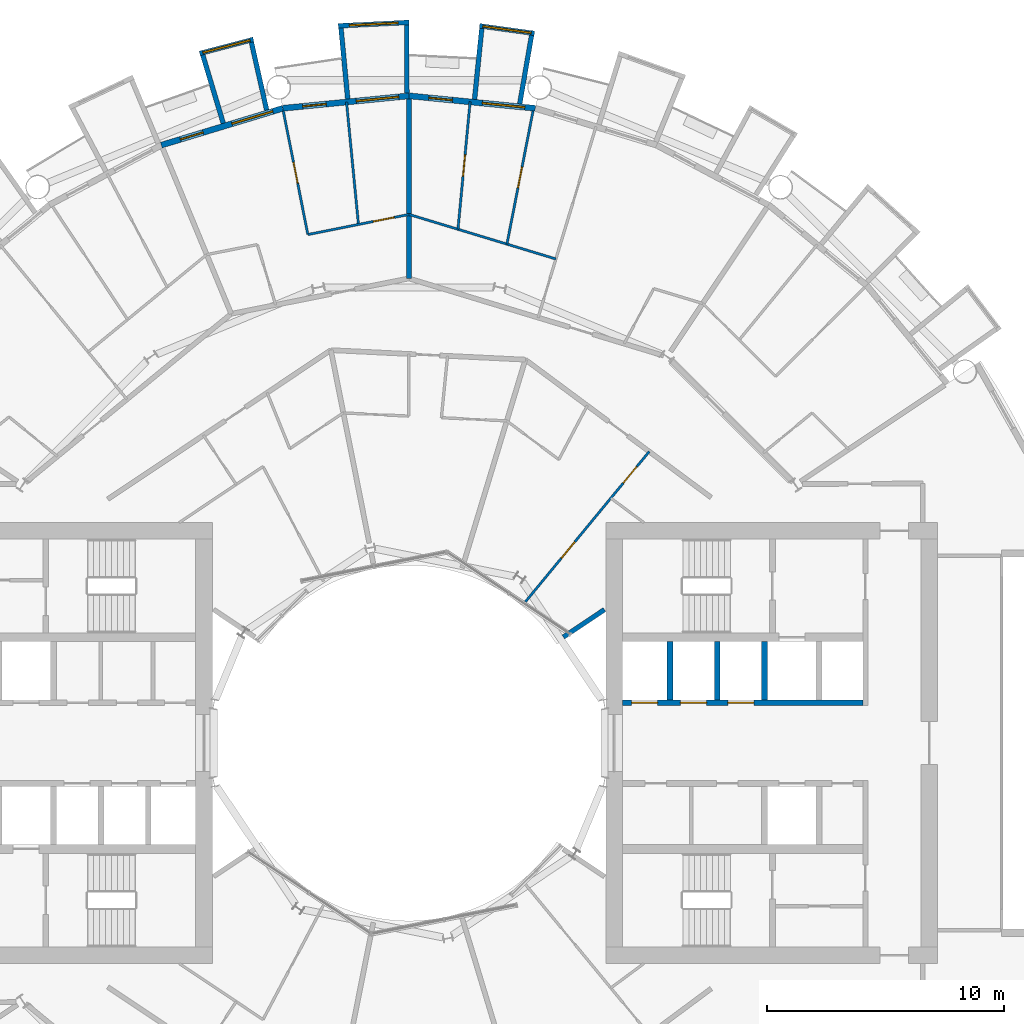
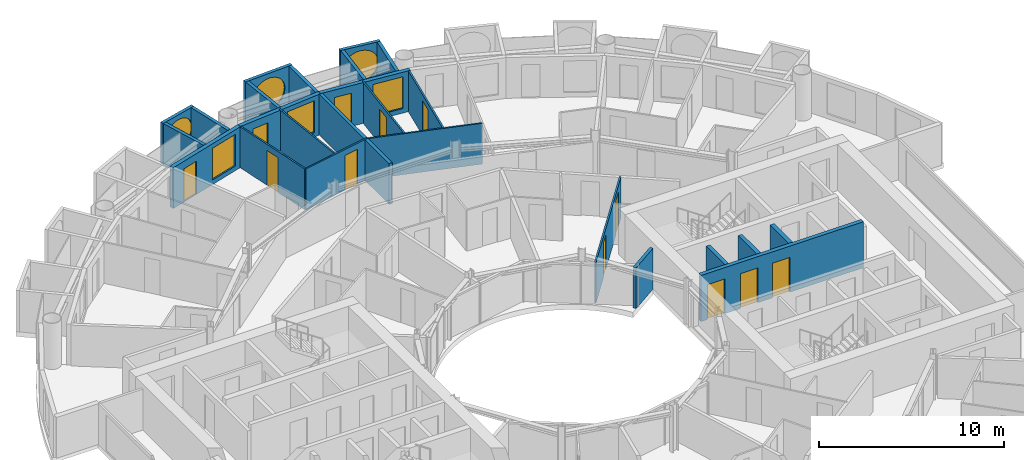
# One storey, part 20 of 26: 25 walls, 12 doors, 6 windows, 18 openings.
"""IFC4 building model written with IfcOpenShell, lengths in metres."""

from ifc_helpers import new_model, si_unit, direction, frame, frame_2d, origin, place, context, subcontext, project, spatial, rectangle, circle, extrude, material, layer, layer_set, type_object, element, fill, save


model = new_model("IFC4")

# Units and contexts
model_context = context("Model", 3, precision=1e-05, world=origin(), true_north=direction((0.0, 1.0)))
body_context = subcontext(model_context, "Body", "Model", "MODEL_VIEW")
ifc_project = project(units=[si_unit("LENGTHUNIT", "METRE"), si_unit("AREAUNIT", "SQUARE_METRE"), si_unit("VOLUMEUNIT", "CUBIC_METRE"), si_unit("PLANEANGLEUNIT", "RADIAN"), si_unit("MASSUNIT", "GRAM", prefix="KILO")], contexts=[model_context])

# Site, building, storey
site_placement = place(None, origin())
site = spatial("IfcSite", under=ifc_project, at=site_placement, CompositionType="ELEMENT")
building_placement = place(site_placement, origin())
building = spatial("IfcBuilding", under=site, at=building_placement, Name="Maasbend Ring Residences", CompositionType="ELEMENT")
storey_placement = place(building_placement, frame((0.0, 0.0, 91.050048828125)))
storey = spatial("IfcBuildingStorey", under=building, at=storey_placement, Name="L26", CompositionType="ELEMENT", Elevation=91.050048828125)

# Wall, openings, doors
ifc_material_1 = material(Name="Concrete C70/85", Category="concrete")
ifc_layer_1 = layer(ifc_material_1, 0.25)
ifc_layer_set_1 = layer_set([ifc_layer_1], Name="Concrete C70/85")
wall_type_1 = type_object("IfcWallType", Name="CORE WALL 250 C70/85", PredefinedType="SHEAR", material=ifc_layer_set_1)
wall_1_placement = place(storey_placement, frame((9.0, 1.699951171875, 0.0), z_axis=(0.0, 0.0, 1.0), x_axis=(1.0, 0.0, 0.0)))
wall_1 = element("IfcWall", 1, at=wall_1_placement, inside=storey, type_object=wall_type_1, Name="L26 core E wall SPN", PredefinedType="SHEAR", context=body_context, shape_type="SweptSolid", body=[
    extrude(rectangle(XDim=10.14990234375, YDim=0.25, at=frame_2d((5.074951171875, 0.0))), origin(), (0.0, 0.0, 1.0), 3.050048828125),
])
opening_1_placement = place(wall_1_placement, frame((0.387451171875, 0.0, 0.0)))
opening_1 = element("IfcOpeningElement", 2, at=opening_1_placement, cuts=wall_1, Name="Opening LD-E2601", PredefinedType="OPENING", context=body_context, shape_type="SweptSolid", body=[
    extrude(rectangle(XDim=1.10009765625, YDim=2.300048828125, at=frame_2d((0.550048828125, 1.14990234375))), frame((0.0, 0.135009765625, 0.0), z_axis=(0.0, -1.0, 0.0), x_axis=(1.0, 0.0, 0.0)), (0.0, 0.0, 1.0), 0.27001953125),
])
opening_2_placement = place(wall_1_placement, frame((2.449951171875, 0.0, 0.0)))
opening_2 = element("IfcOpeningElement", 3, at=opening_2_placement, cuts=wall_1, Name="Opening LD-E2602", PredefinedType="OPENING", context=body_context, shape_type="SweptSolid", body=[
    extrude(rectangle(XDim=1.10009765625, YDim=2.300048828125, at=frame_2d((0.550048828125, 1.14990234375))), frame((0.0, 0.135009765625, 0.0), z_axis=(0.0, -1.0, 0.0), x_axis=(1.0, 0.0, 0.0)), (0.0, 0.0, 1.0), 0.27001953125),
])
opening_3_placement = place(wall_1_placement, frame((4.449951171875, 0.0, 0.0)))
opening_3 = element("IfcOpeningElement", 4, at=opening_3_placement, cuts=wall_1, Name="Opening LD-E2603", PredefinedType="OPENING", context=body_context, shape_type="SweptSolid", body=[
    extrude(rectangle(XDim=1.10009765625, YDim=2.300048828125, at=frame_2d((0.550048828125, 1.14990234375))), frame((0.0, 0.135009765625, 0.0), z_axis=(0.0, -1.0, 0.0), x_axis=(1.0, 0.0, 0.0)), (0.0, 0.0, 1.0), 0.27001953125),
])
ifc_material_2 = material(Name="Stainless steel 316", Category="steel")
door_type_1 = type_object("IfcDoorType", Name="LANDING DOOR 1100 X 2300 FD60", OperationType="DOUBLE_DOOR_SLIDING", PredefinedType="DOOR", material=ifc_material_2)
door_1_placement = place(opening_1_placement, origin())
door_1 = element("IfcDoor", 5, at=door_1_placement, inside=storey, type_object=door_type_1, Name="Landing door LR-E1 L26", OperationType="DOUBLE_DOOR_SLIDING", OverallHeight=2.300048828125, OverallWidth=1.10009765625, PredefinedType="DOOR", context=body_context, shape_type="SweptSolid", body=[
    extrude(rectangle(XDim=1.10009765625, YDim=2.300048828125, at=frame_2d((0.550048828125, 1.14990234375))), frame((0.0, 0.02490234375, 0.0), z_axis=(0.0, -1.0, 0.0), x_axis=(1.0, 0.0, 0.0)), (0.0, 0.0, 1.0), 0.050048828125),
])
fill(opening_1, door_1)
door_2_placement = place(opening_2_placement, origin())
door_2 = element("IfcDoor", 6, at=door_2_placement, inside=storey, type_object=door_type_1, Name="Landing door LR-E2 L26", OperationType="DOUBLE_DOOR_SLIDING", OverallHeight=2.300048828125, OverallWidth=1.10009765625, PredefinedType="DOOR", context=body_context, shape_type="SweptSolid", body=[
    extrude(rectangle(XDim=1.10009765625, YDim=2.300048828125, at=frame_2d((0.550048828125, 1.14990234375))), frame((0.0, 0.02490234375, 0.0), z_axis=(0.0, -1.0, 0.0), x_axis=(1.0, 0.0, 0.0)), (0.0, 0.0, 1.0), 0.050048828125),
])
fill(opening_2, door_2)
door_3_placement = place(opening_3_placement, origin())
door_3 = element("IfcDoor", 7, at=door_3_placement, inside=storey, type_object=door_type_1, Name="Landing door LR-E3 L26", OperationType="DOUBLE_DOOR_SLIDING", OverallHeight=2.300048828125, OverallWidth=1.10009765625, PredefinedType="DOOR", context=body_context, shape_type="SweptSolid", body=[
    extrude(rectangle(XDim=1.10009765625, YDim=2.300048828125, at=frame_2d((0.550048828125, 1.14990234375))), frame((0.0, 0.02490234375, 0.0), z_axis=(0.0, -1.0, 0.0), x_axis=(1.0, 0.0, 0.0)), (0.0, 0.0, 1.0), 0.050048828125),
])
fill(opening_3, door_3)

# Wall, opening, window
ifc_material_3 = material(Name="Pale anodised aluminium panel", Category="aluminium")
ifc_layer_2 = layer(ifc_material_3, 0.199951171875)
ifc_layer_set_2 = layer_set([ifc_layer_2], Name="EW-BOX")
wall_type_2 = type_object("IfcWallType", Name="EW-BOX", PredefinedType="SOLIDWALL", material=ifc_layer_set_2)
wall_2_placement = place(storey_placement, frame((5.2900390625, 29.93603515625, -0.030029296875), z_axis=(0.0, 0.0, 1.0), x_axis=(-0.990696111261, 0.136092671119, 0.0)))
wall_2 = element("IfcWall", 8, at=wall_2_placement, inside=storey, type_object=wall_type_2, Name="Box front N09", PredefinedType="SOLIDWALL", context=body_context, shape_type="SweptSolid", body=[
    extrude(rectangle(XDim=2.335693359375, YDim=0.199951171875, at=frame_2d((1.16796875, 0.0))), origin(), (0.0, 0.0, 1.0), 2.72998046875),
])
opening_4_placement = place(wall_2_placement, frame((0.128173828125, 0.0, 0.330078125)))
opening_4 = element("IfcOpeningElement", 9, at=opening_4_placement, cuts=wall_2, Name="Opening W-RD", PredefinedType="OPENING", context=body_context, shape_type="SweptSolid", body=[
    extrude(circle(Radius=1.0400390625, at=frame_2d((1.0400390625, 1.0400390625))), frame((0.0, 0.10986328125, 0.0), z_axis=(0.0, -1.0, 0.0), x_axis=(1.0, 0.0, 0.0)), (0.0, 0.0, 1.0), 0.219970703125),
])
ifc_material_4 = material(Name="Aluminium and clear glass", Category="aluminium")
window_type_1 = type_object("IfcWindowType", Name="W-RD", PartitioningType="SINGLE_PANEL", PredefinedType="WINDOW", material=ifc_material_4)
window_1_placement = place(opening_4_placement, origin())
window_1 = element("IfcWindow", 10, at=window_1_placement, inside=storey, type_object=window_type_1, Name="Round window N09", OverallHeight=2.080078125, OverallWidth=2.080078125, PartitioningType="SINGLE_PANEL", PredefinedType="WINDOW", context=body_context, shape_type="SweptSolid", body=[
    extrude(circle(Radius=1.0400390625, at=frame_2d((1.0400390625, 1.0400390625))), frame((0.0, 0.030029296875, 0.0), z_axis=(0.0, -1.0, 0.0), x_axis=(1.0, 0.0, 0.0)), (0.0, 0.0, 1.0), 0.06005859375),
])
fill(opening_4, window_1)

# Walls
wall_3_placement = place(storey_placement, frame((4.6708984375, 26.966064453125, -0.030029296875), z_axis=(0.0, 0.0, 1.0), x_axis=(0.170539878907, 0.985350774954, 0.0)))
element("IfcWall", 11, at=wall_3_placement, inside=storey, type_object=wall_type_2, Name="Box side wall N09 left", PredefinedType="SOLIDWALL", context=body_context, shape_type="SweptSolid", body=[
    extrude(rectangle(XDim=2.931884765625, YDim=0.199951171875, at=frame_2d((1.4658203125, 0.0))), origin(), (0.0, 0.0, 1.0), 2.72998046875),
])
wall_4_placement = place(storey_placement, frame((2.763916015625, 27.153076171875, -0.030029296875), z_axis=(0.0, 0.0, 1.0), x_axis=(0.101505487237, 0.994834979311, 0.0)))
element("IfcWall", 12, at=wall_4_placement, inside=storey, type_object=wall_type_2, Name="Box side wall N09 right", PredefinedType="SOLIDWALL", context=body_context, shape_type="SweptSolid", body=[
    extrude(rectangle(XDim=3.006591796875, YDim=0.199951171875, at=frame_2d((1.50341796875, 0.0))), origin(), (0.0, 0.0, 1.0), 2.72998046875),
])

# Wall, opening, window
wall_5_placement = place(storey_placement, frame((0.0048828125, 30.39990234375, -0.030029296875), z_axis=(0.0, 0.0, 1.0), x_axis=(-0.998794083011, -0.049095618353, 0.0)))
wall_5 = element("IfcWall", 13, at=wall_5_placement, inside=storey, type_object=wall_type_2, Name="Box front N11", PredefinedType="SOLIDWALL", context=body_context, shape_type="SweptSolid", body=[
    extrude(rectangle(XDim=2.99365234375, YDim=0.199951171875, at=frame_2d((1.496826171875, 0.0))), origin(), (0.0, 0.0, 1.0), 2.72998046875),
])
opening_5_placement = place(wall_5_placement, frame((0.45654296875, 0.0, 0.330078125)))
opening_5 = element("IfcOpeningElement", 14, at=opening_5_placement, cuts=wall_5, Name="Opening W-RD", PredefinedType="OPENING", context=body_context, shape_type="SweptSolid", body=[
    extrude(circle(Radius=1.0400390625, at=frame_2d((1.0400390625, 1.0400390625))), frame((0.0, 0.10986328125, 0.0), z_axis=(0.0, -1.0, 0.0), x_axis=(1.0, 0.0, 0.0)), (0.0, 0.0, 1.0), 0.219970703125),
])
window_2_placement = place(opening_5_placement, origin())
window_2 = element("IfcWindow", 15, at=window_2_placement, inside=storey, type_object=window_type_1, Name="Round window N11", OverallHeight=2.080078125, OverallWidth=2.080078125, PartitioningType="SINGLE_PANEL", PredefinedType="WINDOW", context=body_context, shape_type="SweptSolid", body=[
    extrude(circle(Radius=1.0400390625, at=frame_2d((1.0400390625, 1.0400390625))), frame((0.0, 0.030029296875, 0.0), z_axis=(0.0, -1.0, 0.0), x_axis=(1.0, 0.0, 0.0)), (0.0, 0.0, 1.0), 0.06005859375),
])
fill(opening_5, window_2)

# Walls
wall_6_placement = place(storey_placement, frame((-0.090087890625, 27.4169921875, -0.030029296875), z_axis=(0.0, 0.0, 1.0), x_axis=(-0.00347308367, 0.999993968827, 0.0)))
element("IfcWall", 16, at=wall_6_placement, inside=storey, type_object=wall_type_2, Name="Box side wall N11 left", PredefinedType="SOLIDWALL", context=body_context, shape_type="SweptSolid", body=[
    extrude(rectangle(XDim=2.882080078125, YDim=0.199951171875, at=frame_2d((1.44091796875, 0.0))), origin(), (0.0, 0.0, 1.0), 2.72998046875),
])
wall_7_placement = place(storey_placement, frame((-2.5859375, 27.1708984375, -0.030029296875), z_axis=(0.0, 0.0, 1.0), x_axis=(-0.094548432284, 0.995520262954, 0.0)))
element("IfcWall", 17, at=wall_7_placement, inside=storey, type_object=wall_type_2, Name="Box side wall N11 right", PredefinedType="SOLIDWALL", context=body_context, shape_type="SweptSolid", body=[
    extrude(rectangle(XDim=3.005615234375, YDim=0.199951171875, at=frame_2d((1.5029296875, 0.0))), origin(), (0.0, 0.0, 1.0), 2.72998046875),
])

# Wall, opening, window
wall_8_placement = place(storey_placement, frame((-6.568115234375, 29.681884765625, -0.030029296875), z_axis=(0.0, 0.0, 1.0), x_axis=(-0.967377102346, -0.253340762326, 0.0)))
wall_8 = element("IfcWall", 18, at=wall_8_placement, inside=storey, type_object=wall_type_2, Name="Box front N13", PredefinedType="SOLIDWALL", context=body_context, shape_type="SweptSolid", body=[
    extrude(rectangle(XDim=2.3359375, YDim=0.199951171875, at=frame_2d((1.16796875, 0.0))), origin(), (0.0, 0.0, 1.0), 2.72998046875),
])
opening_6_placement = place(wall_8_placement, frame((0.128173828125, 0.0, 0.330078125)))
opening_6 = element("IfcOpeningElement", 19, at=opening_6_placement, cuts=wall_8, Name="Opening W-RD", PredefinedType="OPENING", context=body_context, shape_type="SweptSolid", body=[
    extrude(circle(Radius=1.0400390625, at=frame_2d((1.0400390625, 1.0400390625))), frame((0.0, 0.10986328125, 0.0), z_axis=(0.0, -1.0, 0.0), x_axis=(1.0, 0.0, 0.0)), (0.0, 0.0, 1.0), 0.219970703125),
])
window_3_placement = place(opening_6_placement, origin())
window_3 = element("IfcWindow", 20, at=window_3_placement, inside=storey, type_object=window_type_1, Name="Round window N13", OverallHeight=2.080078125, OverallWidth=2.080078125, PartitioningType="SINGLE_PANEL", PredefinedType="WINDOW", context=body_context, shape_type="SweptSolid", body=[
    extrude(circle(Radius=1.0400390625, at=frame_2d((1.0400390625, 1.0400390625))), frame((0.0, 0.030029296875, 0.0), z_axis=(0.0, -1.0, 0.0), x_axis=(1.0, 0.0, 0.0)), (0.0, 0.0, 1.0), 0.06005859375),
])
fill(opening_6, window_3)

# Walls
wall_9_placement = place(storey_placement, frame((-6.00390625, 26.699951171875, -0.030029296875), z_axis=(0.0, 0.0, 1.0), x_axis=(-0.219609259383, 0.975587911566, 0.0)))
element("IfcWall", 21, at=wall_9_placement, inside=storey, type_object=wall_type_2, Name="Box side wall N13 left", PredefinedType="SOLIDWALL", context=body_context, shape_type="SweptSolid", body=[
    extrude(rectangle(XDim=2.9326171875, YDim=0.199951171875, at=frame_2d((1.46630859375, 0.0))), origin(), (0.0, 0.0, 1.0), 2.72998046875),
])
wall_10_placement = place(storey_placement, frame((-7.8369140625, 26.14404296875, -0.030029296875), z_axis=(0.0, 0.0, 1.0), x_axis=(-0.287064767992, 0.957911174889, 0.0)))
element("IfcWall", 22, at=wall_10_placement, inside=storey, type_object=wall_type_2, Name="Box side wall N13 right", PredefinedType="SOLIDWALL", context=body_context, shape_type="SweptSolid", body=[
    extrude(rectangle(XDim=3.00634765625, YDim=0.199951171875, at=frame_2d((1.503173828125, 0.0))), origin(), (0.0, 0.0, 1.0), 2.72998046875),
])

# Wall, openings, door, window
ifc_material_5 = material(Name="Aluminium clad insulated panel", Category="aluminium")
ifc_layer_3 = layer(ifc_material_5, 0.25)
ifc_layer_set_3 = layer_set([ifc_layer_3], Name="EW-GL")
wall_type_3 = type_object("IfcWallType", Name="EW-GL", PredefinedType="SOLIDWALL", material=ifc_layer_set_3)
wall_11_placement = place(storey_placement, frame((5.325927734375, 26.77490234375, 0.0), z_axis=(0.0, 0.0, 1.0), x_axis=(-0.995173996315, 0.098126026407, 0.0)))
wall_11 = element("IfcWall", 23, at=wall_11_placement, inside=storey, type_object=wall_type_3, Name="External wall N05", PredefinedType="SOLIDWALL", context=body_context, shape_type="SweptSolid", body=[
    extrude(rectangle(XDim=5.351806640625, YDim=0.25, at=frame_2d((2.67578125, 0.0))), origin(), (0.0, 0.0, 1.0), 2.699951171875),
])
opening_7_placement = place(wall_11_placement, frame((0.441162109375, 0.0, 0.300048828125)))
opening_7 = element("IfcOpeningElement", 24, at=opening_7_placement, cuts=wall_11, Name="Opening W-BX", PredefinedType="OPENING", context=body_context, shape_type="SweptSolid", body=[
    extrude(rectangle(XDim=1.800048828125, YDim=2.10009765625, at=frame_2d((0.89990234375, 1.050048828125))), frame((0.0, 0.135009765625, 0.0), z_axis=(0.0, -1.0, 0.0), x_axis=(1.0, 0.0, 0.0)), (0.0, 0.0, 1.0), 0.27001953125),
])
opening_8_placement = place(wall_11_placement, frame((3.510498046875, 0.0, 0.0)))
opening_8 = element("IfcOpeningElement", 25, at=opening_8_placement, cuts=wall_11, Name="Opening D-LG", PredefinedType="OPENING", context=body_context, shape_type="SweptSolid", body=[
    extrude(rectangle(XDim=1.0, YDim=2.199951171875, at=frame_2d((0.5, 1.10009765625))), frame((0.0, 0.135009765625, 0.0), z_axis=(0.0, -1.0, 0.0), x_axis=(1.0, 0.0, 0.0)), (0.0, 0.0, 1.0), 0.27001953125),
])
ifc_material_6 = material(Name="Aluminium and clear glass", Category="aluminium")
door_type_2 = type_object("IfcDoorType", Name="D-LG", OperationType="SINGLE_SWING_LEFT", PredefinedType="DOOR", material=ifc_material_6)
door_4_placement = place(opening_8_placement, origin())
door_4 = element("IfcDoor", 26, at=door_4_placement, inside=storey, type_object=door_type_2, Name="Loggia door N10", OperationType="SINGLE_SWING_LEFT", OverallHeight=2.199951171875, OverallWidth=1.0, PredefinedType="DOOR", context=body_context, shape_type="SweptSolid", body=[
    extrude(rectangle(XDim=1.0, YDim=2.199951171875, at=frame_2d((0.5, 1.10009765625))), frame((0.0, 0.02490234375, 0.0), z_axis=(0.0, -1.0, 0.0), x_axis=(1.0, 0.0, 0.0)), (0.0, 0.0, 1.0), 0.050048828125),
])
fill(opening_8, door_4)
ifc_material_7 = material(Name="Aluminium and clear glass", Category="aluminium")
window_type_2 = type_object("IfcWindowType", Name="W-BX", PartitioningType="DOUBLE_PANEL_VERTICAL", PredefinedType="WINDOW", material=ifc_material_7)
window_4_placement = place(opening_7_placement, origin())
window_4 = element("IfcWindow", 27, at=window_4_placement, inside=storey, type_object=window_type_2, Name="Window N09 room to box", OverallHeight=2.10009765625, OverallWidth=1.800048828125, PartitioningType="SINGLE_PANEL", PredefinedType="WINDOW", context=body_context, shape_type="SweptSolid", body=[
    extrude(rectangle(XDim=1.800048828125, YDim=2.10009765625, at=frame_2d((0.89990234375, 1.050048828125))), frame((0.0, 0.030029296875, 0.0), z_axis=(0.0, -1.0, 0.0), x_axis=(1.0, 0.0, 0.0)), (0.0, 0.0, 1.0), 0.06005859375),
])
fill(opening_7, window_4)

wall_12_placement = place(storey_placement, frame((0.0, 27.300048828125, 0.0), z_axis=(0.0, 0.0, 1.0), x_axis=(-0.995173996315, -0.098126026407, 0.0)))
wall_12 = element("IfcWall", 28, at=wall_12_placement, inside=storey, type_object=wall_type_3, Name="External wall N06", PredefinedType="SOLIDWALL", context=body_context, shape_type="SweptSolid", body=[
    extrude(rectangle(XDim=5.351806640625, YDim=0.25, at=frame_2d((2.67578125, 0.0))), origin(), (0.0, 0.0, 1.0), 2.699951171875),
])
opening_9_placement = place(wall_12_placement, frame((0.441162109375, 0.0, 0.300048828125)))
opening_9 = element("IfcOpeningElement", 29, at=opening_9_placement, cuts=wall_12, Name="Opening W-BX", PredefinedType="OPENING", context=body_context, shape_type="SweptSolid", body=[
    extrude(rectangle(XDim=1.800048828125, YDim=2.10009765625, at=frame_2d((0.89990234375, 1.050048828125))), frame((0.0, 0.135009765625, 0.0), z_axis=(0.0, -1.0, 0.0), x_axis=(1.0, 0.0, 0.0)), (0.0, 0.0, 1.0), 0.27001953125),
])
opening_10_placement = place(wall_12_placement, frame((3.510498046875, 0.0, 0.0)))
opening_10 = element("IfcOpeningElement", 30, at=opening_10_placement, cuts=wall_12, Name="Opening D-LG", PredefinedType="OPENING", context=body_context, shape_type="SweptSolid", body=[
    extrude(rectangle(XDim=1.0, YDim=2.199951171875, at=frame_2d((0.5, 1.10009765625))), frame((0.0, 0.135009765625, 0.0), z_axis=(0.0, -1.0, 0.0), x_axis=(1.0, 0.0, 0.0)), (0.0, 0.0, 1.0), 0.27001953125),
])
door_5_placement = place(opening_10_placement, origin())
door_5 = element("IfcDoor", 31, at=door_5_placement, inside=storey, type_object=door_type_2, Name="Loggia door N12", OperationType="SINGLE_SWING_LEFT", OverallHeight=2.199951171875, OverallWidth=1.0, PredefinedType="DOOR", context=body_context, shape_type="SweptSolid", body=[
    extrude(rectangle(XDim=1.0, YDim=2.199951171875, at=frame_2d((0.5, 1.10009765625))), frame((0.0, 0.02490234375, 0.0), z_axis=(0.0, -1.0, 0.0), x_axis=(1.0, 0.0, 0.0)), (0.0, 0.0, 1.0), 0.050048828125),
])
fill(opening_10, door_5)
window_5_placement = place(opening_9_placement, origin())
window_5 = element("IfcWindow", 32, at=window_5_placement, inside=storey, type_object=window_type_2, Name="Window N11 room to box", OverallHeight=2.10009765625, OverallWidth=1.800048828125, PartitioningType="SINGLE_PANEL", PredefinedType="WINDOW", context=body_context, shape_type="SweptSolid", body=[
    extrude(rectangle(XDim=1.800048828125, YDim=2.10009765625, at=frame_2d((0.89990234375, 1.050048828125))), frame((0.0, 0.030029296875, 0.0), z_axis=(0.0, -1.0, 0.0), x_axis=(1.0, 0.0, 0.0)), (0.0, 0.0, 1.0), 0.06005859375),
])
fill(opening_9, window_5)

wall_13_placement = place(storey_placement, frame((-5.325927734375, 26.77490234375, 0.0), z_axis=(0.0, 0.0, 1.0), x_axis=(-0.956965678721, -0.290201119486, 0.0)))
wall_13 = element("IfcWall", 33, at=wall_13_placement, inside=storey, type_object=wall_type_3, Name="External wall N07", PredefinedType="SOLIDWALL", context=body_context, shape_type="SweptSolid", body=[
    extrude(rectangle(XDim=5.351318359375, YDim=0.25, at=frame_2d((2.67578125, 0.0))), origin(), (0.0, 0.0, 1.0), 2.699951171875),
])
opening_11_placement = place(wall_13_placement, frame((0.441162109375, 0.0, 0.300048828125)))
opening_11 = element("IfcOpeningElement", 34, at=opening_11_placement, cuts=wall_13, Name="Opening W-BX", PredefinedType="OPENING", context=body_context, shape_type="SweptSolid", body=[
    extrude(rectangle(XDim=1.800048828125, YDim=2.10009765625, at=frame_2d((0.89990234375, 1.050048828125))), frame((0.0, 0.135009765625, 0.0), z_axis=(0.0, -1.0, 0.0), x_axis=(1.0, 0.0, 0.0)), (0.0, 0.0, 1.0), 0.27001953125),
])
opening_12_placement = place(wall_13_placement, frame((3.510498046875, 0.0, 0.0)))
opening_12 = element("IfcOpeningElement", 35, at=opening_12_placement, cuts=wall_13, Name="Opening D-LG", PredefinedType="OPENING", context=body_context, shape_type="SweptSolid", body=[
    extrude(rectangle(XDim=1.0, YDim=2.199951171875, at=frame_2d((0.5, 1.10009765625))), frame((0.0, 0.135009765625, 0.0), z_axis=(0.0, -1.0, 0.0), x_axis=(1.0, 0.0, 0.0)), (0.0, 0.0, 1.0), 0.27001953125),
])
door_6_placement = place(opening_12_placement, origin())
door_6 = element("IfcDoor", 36, at=door_6_placement, inside=storey, type_object=door_type_2, Name="Loggia door N14", OperationType="SINGLE_SWING_LEFT", OverallHeight=2.199951171875, OverallWidth=1.0, PredefinedType="DOOR", context=body_context, shape_type="SweptSolid", body=[
    extrude(rectangle(XDim=1.0, YDim=2.199951171875, at=frame_2d((0.5, 1.10009765625))), frame((0.0, 0.02490234375, 0.0), z_axis=(0.0, -1.0, 0.0), x_axis=(1.0, 0.0, 0.0)), (0.0, 0.0, 1.0), 0.050048828125),
])
fill(opening_12, door_6)
window_6_placement = place(opening_11_placement, origin())
window_6 = element("IfcWindow", 37, at=window_6_placement, inside=storey, type_object=window_type_2, Name="Window N13 room to box", OverallHeight=2.10009765625, OverallWidth=1.800048828125, PartitioningType="SINGLE_PANEL", PredefinedType="WINDOW", context=body_context, shape_type="SweptSolid", body=[
    extrude(rectangle(XDim=1.800048828125, YDim=2.10009765625, at=frame_2d((0.89990234375, 1.050048828125))), frame((0.0, 0.030029296875, 0.0), z_axis=(0.0, -1.0, 0.0), x_axis=(1.0, 0.0, 0.0)), (0.0, 0.0, 1.0), 0.06005859375),
])
fill(opening_11, window_6)

# Wall, opening, door
ifc_material_8 = material(Name="Gypsum board on steel studs", Category="steel")
ifc_layer_4 = layer(ifc_material_8, 0.10009765625)
ifc_layer_set_4 = layer_set([ifc_layer_4], Name="PARTITION 100 GYPSUM")
wall_type_4 = type_object("IfcWallType", Name="PARTITION 100 GYPSUM", PredefinedType="PARTITIONING", material=ifc_layer_set_4)
wall_14_placement = place(storey_placement, frame((-5.302001953125, 26.653076171875, 0.0), z_axis=(0.0, 0.0, 1.0), x_axis=(0.195115793364, -0.980780213493, 0.0)))
wall_14 = element("IfcWall", 38, at=wall_14_placement, inside=storey, type_object=wall_type_4, Name="U-L26-w049", PredefinedType="PARTITIONING", context=body_context, shape_type="SweptSolid", body=[
    extrude(rectangle(XDim=5.30419921875, YDim=0.10009765625, at=frame_2d((2.652099609375, 0.0))), origin(), (0.0, 0.0, 1.0), 2.699951171875),
])
opening_13_placement = place(wall_14_placement, frame((2.201904296875, 0.0, 0.0)))
opening_13 = element("IfcOpeningElement", 39, at=opening_13_placement, cuts=wall_14, Name="Opening D-2613", PredefinedType="OPENING", context=body_context, shape_type="SweptSolid", body=[
    extrude(rectangle(XDim=0.89990234375, YDim=2.300048828125, at=frame_2d((0.449951171875, 1.14990234375))), frame((0.0, 0.06005859375, 0.0), z_axis=(0.0, -1.0, 0.0), x_axis=(1.0, 0.0, 0.0)), (0.0, 0.0, 1.0), 0.1201171875),
])
ifc_material_9 = material(Name="Timber, painted", Category="wood")
door_type_3 = type_object("IfcDoorType", Name="INTERNAL DOOR 900 X 2300", OperationType="NOTDEFINED", PredefinedType="DOOR", material=ifc_material_9)
door_7_placement = place(opening_13_placement, origin())
door_7 = element("IfcDoor", 40, at=door_7_placement, inside=storey, type_object=door_type_3, Name="D-2613", OperationType="SINGLE_SWING_LEFT", OverallHeight=2.300048828125, OverallWidth=0.89990234375, PredefinedType="DOOR", context=body_context, shape_type="SweptSolid", body=[
    extrude(rectangle(XDim=0.89990234375, YDim=2.300048828125, at=frame_2d((0.449951171875, 1.14990234375))), frame((0.0, 0.02490234375, 0.0), z_axis=(0.0, -1.0, 0.0), x_axis=(1.0, 0.0, 0.0)), (0.0, 0.0, 1.0), 0.050048828125),
])
fill(opening_13, door_7)

# Wall
wall_15_placement = place(storey_placement, frame((-2.637939453125, 27.047119140625, 0.0), z_axis=(0.0, 0.0, 1.0), x_axis=(0.097172620677, -0.99526754282, 0.0)))
element("IfcWall", 41, at=wall_15_placement, inside=storey, type_object=wall_type_4, Name="U-L26-w052", PredefinedType="PARTITIONING", context=body_context, shape_type="SweptSolid", body=[
    extrude(rectangle(XDim=5.19580078125, YDim=0.10009765625, at=frame_2d((2.597900390625, 0.0))), origin(), (0.0, 0.0, 1.0), 2.699951171875),
])

# Wall, opening, door
wall_16_placement = place(storey_placement, frame((2.06494140625, 21.674072265625, 0.0), z_axis=(0.0, 0.0, 1.0), x_axis=(0.094751520537, 0.99550095397, 0.0)))
wall_16 = element("IfcWall", 42, at=wall_16_placement, inside=storey, type_object=wall_type_4, Name="U-L26-w062", PredefinedType="PARTITIONING", context=body_context, shape_type="SweptSolid", body=[
    extrude(rectangle(XDim=5.4033203125, YDim=0.10009765625, at=frame_2d((2.70166015625, 0.0))), origin(), (0.0, 0.0, 1.0), 2.699951171875),
])
opening_14_placement = place(wall_16_placement, frame((2.251953125, 0.0, 0.0)))
opening_14 = element("IfcOpeningElement", 43, at=opening_14_placement, cuts=wall_16, Name="Opening D-2610", PredefinedType="OPENING", context=body_context, shape_type="SweptSolid", body=[
    extrude(rectangle(XDim=0.89990234375, YDim=2.300048828125, at=frame_2d((0.449951171875, 1.14990234375))), frame((0.0, 0.06005859375, 0.0), z_axis=(0.0, -1.0, 0.0), x_axis=(1.0, 0.0, 0.0)), (0.0, 0.0, 1.0), 0.1201171875),
])
door_8_placement = place(opening_14_placement, origin())
door_8 = element("IfcDoor", 44, at=door_8_placement, inside=storey, type_object=door_type_3, Name="D-2610", OperationType="SINGLE_SWING_LEFT", OverallHeight=2.300048828125, OverallWidth=0.89990234375, PredefinedType="DOOR", context=body_context, shape_type="SweptSolid", body=[
    extrude(rectangle(XDim=0.89990234375, YDim=2.300048828125, at=frame_2d((0.449951171875, 1.14990234375))), frame((0.0, 0.02490234375, 0.0), z_axis=(0.0, -1.0, 0.0), x_axis=(1.0, 0.0, 0.0)), (0.0, 0.0, 1.0), 0.050048828125),
])
fill(opening_14, door_8)

wall_17_placement = place(storey_placement, frame((4.1298828125, 21.047119140625, 0.0), z_axis=(0.0, 0.0, 1.0), x_axis=(0.192433779325, 0.981309961518, 0.0)))
wall_17 = element("IfcWall", 45, at=wall_17_placement, inside=storey, type_object=wall_type_4, Name="U-L26-w066", PredefinedType="PARTITIONING", context=body_context, shape_type="SweptSolid", body=[
    extrude(rectangle(XDim=5.726806640625, YDim=0.10009765625, at=frame_2d((2.86328125, 0.0))), origin(), (0.0, 0.0, 1.0), 2.699951171875),
])
opening_15_placement = place(wall_17_placement, frame((2.4140625, 0.0, 0.0)))
opening_15 = element("IfcOpeningElement", 46, at=opening_15_placement, cuts=wall_17, Name="Opening D-2609", PredefinedType="OPENING", context=body_context, shape_type="SweptSolid", body=[
    extrude(rectangle(XDim=0.89990234375, YDim=2.300048828125, at=frame_2d((0.449951171875, 1.14990234375))), frame((0.0, 0.06005859375, 0.0), z_axis=(0.0, -1.0, 0.0), x_axis=(1.0, 0.0, 0.0)), (0.0, 0.0, 1.0), 0.1201171875),
])
door_9_placement = place(opening_15_placement, origin())
door_9 = element("IfcDoor", 47, at=door_9_placement, inside=storey, type_object=door_type_3, Name="D-2609", OperationType="SINGLE_SWING_RIGHT", OverallHeight=2.300048828125, OverallWidth=0.89990234375, PredefinedType="DOOR", context=body_context, shape_type="SweptSolid", body=[
    extrude(rectangle(XDim=0.89990234375, YDim=2.300048828125, at=frame_2d((0.449951171875, 1.14990234375))), frame((0.0, 0.02490234375, 0.0), z_axis=(0.0, -1.0, 0.0), x_axis=(1.0, 0.0, 0.0)), (0.0, 0.0, 1.0), 0.050048828125),
])
fill(opening_15, door_9)

# Wall, openings, doors
wall_18_placement = place(storey_placement, frame((4.908935546875, 5.9580078125, 0.0), z_axis=(0.0, 0.0, 1.0), x_axis=(0.635976043025, 0.771708800454, 0.0)))
wall_18 = element("IfcWall", 48, at=wall_18_placement, inside=storey, type_object=wall_type_4, Name="U-L26-w068", PredefinedType="PARTITIONING", context=body_context, shape_type="SweptSolid", body=[
    extrude(rectangle(XDim=8.212890625, YDim=0.10009765625, at=frame_2d((4.1064453125, 0.0))), origin(), (0.0, 0.0, 1.0), 2.699951171875),
])
opening_16_placement = place(wall_18_placement, frame((6.489990234375, 0.0, 0.0)))
opening_16 = element("IfcOpeningElement", 49, at=opening_16_placement, cuts=wall_18, Name="Opening D-2623", PredefinedType="OPENING", context=body_context, shape_type="SweptSolid", body=[
    extrude(rectangle(XDim=0.89990234375, YDim=2.300048828125, at=frame_2d((0.449951171875, 1.14990234375))), frame((0.0, 0.06005859375, 0.0), z_axis=(0.0, -1.0, 0.0), x_axis=(1.0, 0.0, 0.0)), (0.0, 0.0, 1.0), 0.1201171875),
])
opening_17_placement = place(wall_18_placement, frame((2.384033203125, 0.0, 0.0)))
opening_17 = element("IfcOpeningElement", 50, at=opening_17_placement, cuts=wall_18, Name="Opening D-2624", PredefinedType="OPENING", context=body_context, shape_type="SweptSolid", body=[
    extrude(rectangle(XDim=0.89990234375, YDim=2.300048828125, at=frame_2d((0.449951171875, 1.14990234375))), frame((0.0, 0.06005859375, 0.0), z_axis=(0.0, -1.0, 0.0), x_axis=(1.0, 0.0, 0.0)), (0.0, 0.0, 1.0), 0.1201171875),
])
door_10_placement = place(opening_16_placement, origin())
door_10 = element("IfcDoor", 51, at=door_10_placement, inside=storey, type_object=door_type_3, Name="D-2623", OperationType="SINGLE_SWING_RIGHT", OverallHeight=2.300048828125, OverallWidth=0.89990234375, PredefinedType="DOOR", context=body_context, shape_type="SweptSolid", body=[
    extrude(rectangle(XDim=0.89990234375, YDim=2.300048828125, at=frame_2d((0.449951171875, 1.14990234375))), frame((0.0, 0.02490234375, 0.0), z_axis=(0.0, -1.0, 0.0), x_axis=(1.0, 0.0, 0.0)), (0.0, 0.0, 1.0), 0.050048828125),
])
fill(opening_16, door_10)
door_11_placement = place(opening_17_placement, origin())
door_11 = element("IfcDoor", 52, at=door_11_placement, inside=storey, type_object=door_type_3, Name="D-2624", OperationType="SINGLE_SWING_LEFT", OverallHeight=2.300048828125, OverallWidth=0.89990234375, PredefinedType="DOOR", context=body_context, shape_type="SweptSolid", body=[
    extrude(rectangle(XDim=0.89990234375, YDim=2.300048828125, at=frame_2d((0.449951171875, 1.14990234375))), frame((0.0, 0.02490234375, 0.0), z_axis=(0.0, -1.0, 0.0), x_axis=(1.0, 0.0, 0.0)), (0.0, 0.0, 1.0), 0.050048828125),
])
fill(opening_17, door_11)

# Wall
wall_19_placement = place(storey_placement, frame((-0.00390625, 22.299072265625, 0.0), z_axis=(0.0, 0.0, 1.0), x_axis=(0.95699555343, -0.290102586537, 0.0)))
element("IfcWall", 53, at=wall_19_placement, inside=storey, type_object=wall_type_4, Name="U-L26-w104", PredefinedType="PARTITIONING", context=body_context, shape_type="SweptSolid", body=[
    extrude(rectangle(XDim=6.4775390625, YDim=0.10009765625, at=frame_2d((3.23876953125, 0.0))), origin(), (0.0, 0.0, 1.0), 2.699951171875),
])

# Wall, opening, door
wall_20_placement = place(storey_placement, frame((-4.260986328125, 21.451904296875, 0.0), z_axis=(0.0, 0.0, 1.0), x_axis=(0.980819753929, 0.194916931799, 0.0)))
wall_20 = element("IfcWall", 54, at=wall_20_placement, inside=storey, type_object=wall_type_4, Name="U-L26-w109", PredefinedType="PARTITIONING", context=body_context, shape_type="SweptSolid", body=[
    extrude(rectangle(XDim=4.34619140625, YDim=0.10009765625, at=frame_2d((2.173095703125, 0.0))), origin(), (0.0, 0.0, 1.0), 2.699951171875),
])
opening_18_placement = place(wall_20_placement, frame((2.806884765625, 0.0, 0.0)))
opening_18 = element("IfcOpeningElement", 55, at=opening_18_placement, cuts=wall_20, Name="Opening D-2614", PredefinedType="OPENING", context=body_context, shape_type="SweptSolid", body=[
    extrude(rectangle(XDim=0.89990234375, YDim=2.300048828125, at=frame_2d((0.449951171875, 1.14990234375))), frame((0.0, 0.06005859375, 0.0), z_axis=(0.0, -1.0, 0.0), x_axis=(1.0, 0.0, 0.0)), (0.0, 0.0, 1.0), 0.1201171875),
])
door_12_placement = place(opening_18_placement, origin())
door_12 = element("IfcDoor", 56, at=door_12_placement, inside=storey, type_object=door_type_3, Name="D-2614", OperationType="SINGLE_SWING_RIGHT", OverallHeight=2.300048828125, OverallWidth=0.89990234375, PredefinedType="DOOR", context=body_context, shape_type="SweptSolid", body=[
    extrude(rectangle(XDim=0.89990234375, YDim=2.300048828125, at=frame_2d((0.449951171875, 1.14990234375))), frame((0.0, 0.02490234375, 0.0), z_axis=(0.0, -1.0, 0.0), x_axis=(1.0, 0.0, 0.0)), (0.0, 0.0, 1.0), 0.050048828125),
])
fill(opening_18, door_12)

# Walls
ifc_material_10 = material(Name="Concrete C30/37", Category="concrete")
ifc_layer_5 = layer(ifc_material_10, 0.199951171875)
ifc_layer_set_5 = layer_set([ifc_layer_5], Name="Concrete C30/37")
wall_type_5 = type_object("IfcWallType", Name="PARTY WALL 200 CONCRETE", PredefinedType="PARTITIONING", material=ifc_layer_set_5)
wall_21_placement = place(storey_placement, frame((0.0, 19.60009765625, 0.0), z_axis=(0.0, 0.0, 1.0), x_axis=(0.0, 1.0, 0.0)))
element("IfcWall", 57, at=wall_21_placement, inside=storey, type_object=wall_type_5, Name="U-L26-w058", PredefinedType="PARTITIONING", context=body_context, shape_type="SweptSolid", body=[
    extrude(rectangle(XDim=7.574951171875, YDim=0.199951171875, at=frame_2d((3.78759765625, 0.0))), origin(), (0.0, 0.0, 1.0), 2.699951171875),
])
wall_22_placement = place(storey_placement, frame((6.512939453125, 4.471923828125, 0.0), z_axis=(0.0, 0.0, 1.0), x_axis=(0.831382204863, 0.555701025225, 0.0)))
element("IfcWall", 58, at=wall_22_placement, inside=storey, type_object=wall_type_5, Name="U-L26-w086", PredefinedType="PARTITIONING", context=body_context, shape_type="SweptSolid", body=[
    extrude(rectangle(XDim=2.08203125, YDim=0.199951171875, at=frame_2d((1.041015625, 0.0))), origin(), (0.0, 0.0, 1.0), 2.699951171875),
])
ifc_material_11 = material(Name="Concrete C30/37", Category="concrete")
ifc_layer_6 = layer(ifc_material_11, 0.25)
ifc_layer_set_6 = layer_set([ifc_layer_6], Name="Concrete C30/37")
wall_type_6 = type_object("IfcWallType", Name="SHAFT WALL 250 EI 120", PredefinedType="SOLIDWALL", material=ifc_layer_set_6)
for number, where, z_axis, x_axis, name in (
    (59, (15.0, 1.824951171875, 0.0), (0.0, 0.0, 1.0), (0.0, 1.0, 0.0), "L26 core E wall D150N"),
    (60, (11.0, 1.824951171875, 0.0), (0.0, 0.0, 1.0), (0.0, 1.0, 0.0), "L26 core E wall D110N"),
    (61, (13.0, 1.824951171875, 0.0), (0.0, 0.0, 1.0), (0.0, 1.0, 0.0), "L26 core E wall D130N"),
):
    element("IfcWall", number, at=place(storey_placement, frame(where, z_axis=z_axis, x_axis=x_axis)), inside=storey, type_object=wall_type_6, Name=name, PredefinedType="SOLIDWALL", context=body_context, shape_type="SweptSolid", body=[
        extrude(rectangle(XDim=2.449951171875, YDim=0.25, at=frame_2d((1.22509765625, 0.0))), origin(), (0.0, 0.0, 1.0), 2.699951171875),
    ])

save(model, "model.ifc")
